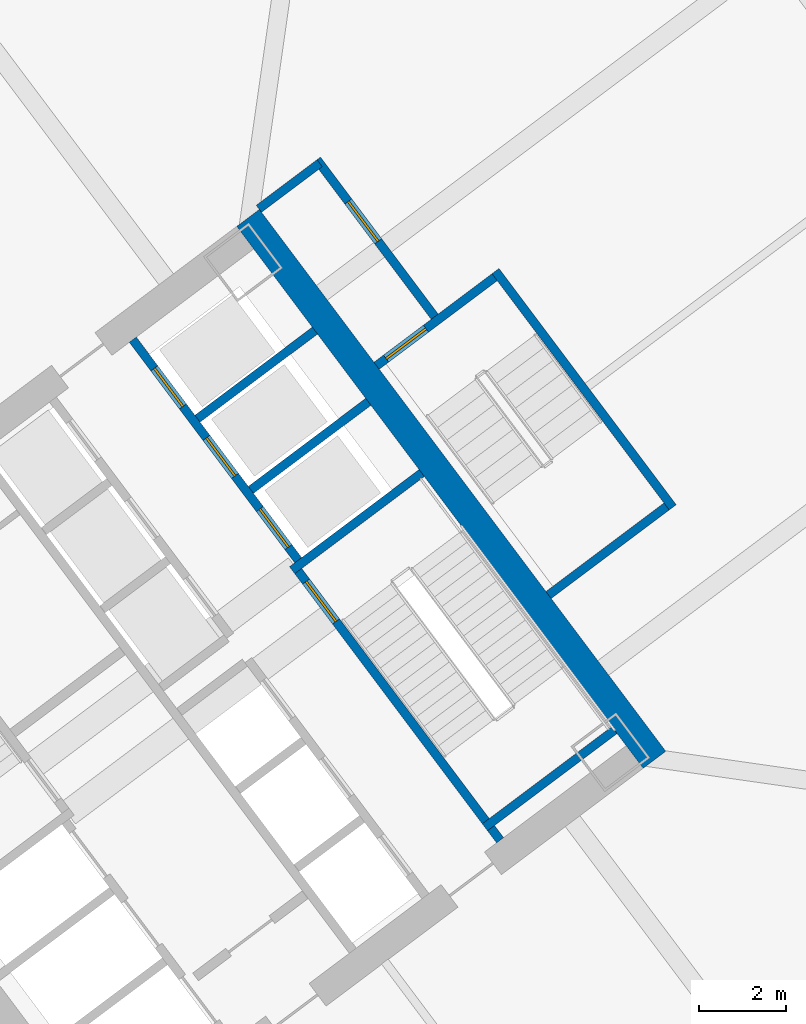
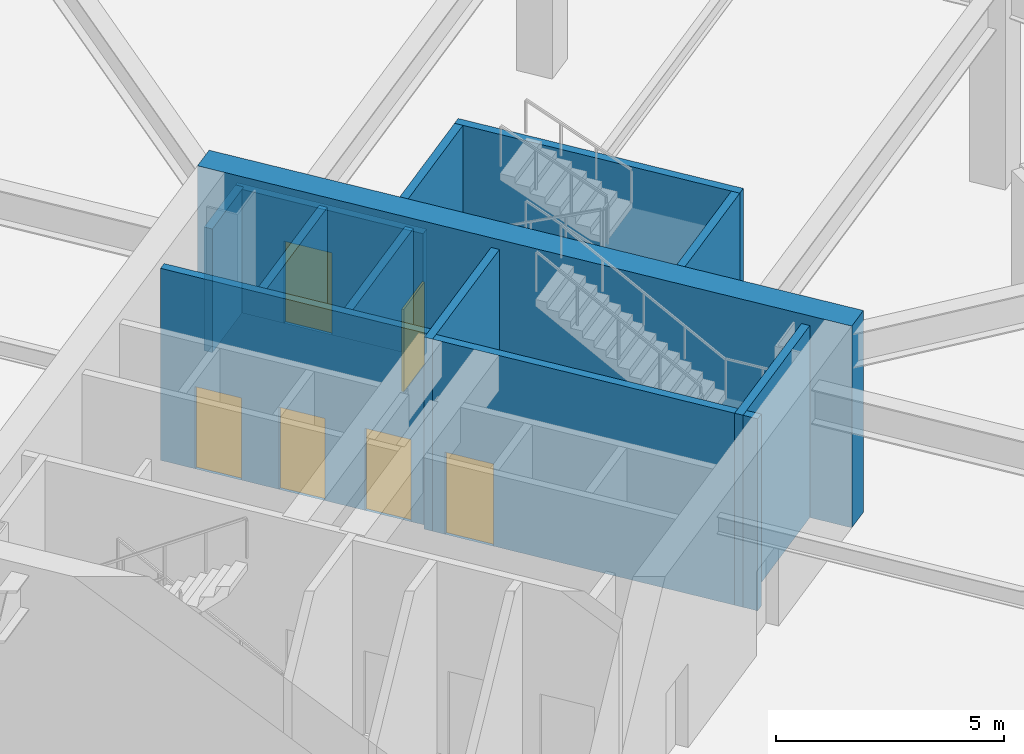
# One storey, part 12 of 26: 12 walls, 6 doors, 6 openings.
"""IFC4 building model written with IfcOpenShell, lengths in metres."""

from ifc_helpers import new_model, si_unit, direction, frame, frame_2d, origin, place, context, subcontext, project, spatial, rectangle, extrude, material, layer, layer_set, type_object, element, fill, save


model = new_model("IFC4")

# Units and contexts
model_context = context("Model", 3, precision=1e-05, world=origin(), true_north=direction((0.0, 1.0)))
body_context = subcontext(model_context, "Body", "Model", "MODEL_VIEW")
ifc_project = project(units=[si_unit("LENGTHUNIT", "METRE"), si_unit("AREAUNIT", "SQUARE_METRE"), si_unit("VOLUMEUNIT", "CUBIC_METRE"), si_unit("PLANEANGLEUNIT", "RADIAN"), si_unit("MASSUNIT", "GRAM", prefix="KILO")], contexts=[model_context])

# Site, building, storey
site_placement = place(None, origin())
site = spatial("IfcSite", under=ifc_project, at=site_placement, CompositionType="ELEMENT")
building_placement = place(site_placement, origin())
building = spatial("IfcBuilding", under=site, at=building_placement, Name="Tashvorn Skyway Center", CompositionType="ELEMENT")
storey_placement = place(building_placement, origin())
storey = spatial("IfcBuildingStorey", under=building, at=storey_placement, Name="L00", CompositionType="ELEMENT", Elevation=0.0)

# Walls
ifc_material_1 = material(Name="Concrete C60/75", Category="concrete")
ifc_layer_1 = layer(ifc_material_1, 0.64990234375)
ifc_layer_set_1 = layer_set([ifc_layer_1], Name="Concrete C60/75")
wall_type_1 = type_object("IfcWallType", Name="WALL-CORE-650", PredefinedType="SHEAR", material=ifc_layer_set_1)
wall_1_placement = place(storey_placement, frame((115.52392578125, 42.89306640625, 0.0), z_axis=(0.0, 0.0, 1.0), x_axis=(0.600005007985, -0.799996243986, 0.0)))
element("IfcWall", 1, at=wall_1_placement, inside=storey, type_object=wall_type_1, Name="Tower 2 L00 East Core Shear Wall", PredefinedType="SHEAR", context=body_context, shape_type="SweptSolid", body=[
    extrude(rectangle(XDim=15.60009765625, YDim=0.64990234375, at=frame_2d((7.800048828125, 0.0))), origin(), (0.0, 0.0, 1.0), 5.39990234375),
])
ifc_material_2 = material(Name="Concrete C40/50", Category="concrete")
ifc_layer_2 = layer(ifc_material_2, 0.199951171875)
ifc_layer_set_2 = layer_set([ifc_layer_2], Name="Concrete C40/50")
wall_type_2 = type_object("IfcWallType", Name="WALL-SHAFT-200", PredefinedType="SOLIDWALL", material=ifc_layer_set_2)
for number, where, z_axis, x_axis, name in (
    (2, (115.590087890625, 36.6298828125, 0.0), (0.0, 0.0, 1.0), (0.799973995579, 0.600034670996, 0.0), "Tower 2 L00 High-Rise Shaft Divider"),
    (3, (114.360107421875, 38.27001953125, 0.0), (0.0, 0.0, 1.0), (0.799973995579, 0.600034670996, 0.0), "Tower 2 L00 High-Rise Shaft Divider"),
):
    element("IfcWall", number, at=place(storey_placement, frame(where, z_axis=z_axis, x_axis=x_axis)), inside=storey, type_object=wall_type_2, Name=name, PredefinedType="SOLIDWALL", context=body_context, shape_type="SweptSolid", body=[
        extrude(rectangle(XDim=3.3798828125, YDim=0.199951171875, at=frame_2d((1.68994140625, 0.0))), origin(), (0.0, 0.0, 1.0), 5.139892578125),
    ])

# Wall, opening, door
wall_2_placement = place(storey_placement, frame((117.112060546875, 44.23388671875, 0.0), z_axis=(0.0, 0.0, 1.0), x_axis=(0.59999135767, -0.800006481675, 0.0)))
wall_2 = element("IfcWall", 4, at=wall_2_placement, inside=storey, type_object=wall_type_2, Name="Tower 2 L00 Stair 3 Exit Passage Outer Wall", PredefinedType="SOLIDWALL", context=body_context, shape_type="SweptSolid", body=[
    extrude(rectangle(XDim=4.52001953125, YDim=0.199951171875, at=frame_2d((2.260009765625, 0.0))), origin(), (0.0, 0.0, 1.0), 3.31005859375),
])
opening_1_placement = place(wall_2_placement, frame((1.199951171875, 0.0, 0.0)))
opening_1 = element("IfcOpeningElement", 5, at=opening_1_placement, cuts=wall_2, Name="Opening D-ST-1150", PredefinedType="OPENING", context=body_context, shape_type="SweptSolid", body=[
    extrude(rectangle(XDim=1.14990234375, YDim=2.199951171875, at=frame_2d((0.574951171875, 1.10009765625))), frame((0.0, 0.10986328125, 0.0), z_axis=(0.0, -1.0, 0.0), x_axis=(1.0, 0.0, 0.0)), (0.0, 0.0, 1.0), 0.219970703125),
])
ifc_material_3 = material(Name="Hollow galvanized steel fire door assembly", Category="steel")
door_type_1 = type_object("IfcDoorType", Name="DOOR-STAIR-1150", OperationType="NOTDEFINED", PredefinedType="DOOR", material=ifc_material_3)
door_1_placement = place(opening_1_placement, origin())
door_1 = element("IfcDoor", 6, at=door_1_placement, inside=storey, type_object=door_type_1, Name="Tower 2 L00 Exit Stair 3 Final Exit Discharge Door", OperationType="SINGLE_SWING_LEFT", OverallHeight=2.199951171875, OverallWidth=1.14990234375, PredefinedType="DOOR", context=body_context, shape_type="SweptSolid", body=[
    extrude(rectangle(XDim=1.14990234375, YDim=2.199951171875, at=frame_2d((0.574951171875, 1.10009765625))), frame((0.0, 0.02490234375, 0.0), z_axis=(0.0, -1.0, 0.0), x_axis=(1.0, 0.0, 0.0)), (0.0, 0.0, 1.0), 0.050048828125),
])
fill(opening_1, door_1)

# Wall
wall_3_placement = place(storey_placement, frame((115.77197265625, 43.10400390625, 0.0), z_axis=(0.0, 0.0, 1.0), x_axis=(0.800016739359, 0.599977680206, 0.0)))
element("IfcWall", 7, at=wall_3_placement, inside=storey, type_object=wall_type_2, Name="Tower 2 L00 Stair 3 Exit Passage End Wall", PredefinedType="SOLIDWALL", context=body_context, shape_type="SweptSolid", body=[
    extrude(rectangle(XDim=1.750244140625, YDim=0.199951171875, at=frame_2d((0.875, 0.0))), origin(), (0.0, 0.0, 1.0), 3.31005859375),
])

# Wall, opening, door
ifc_layer_3 = layer(ifc_material_2, 0.199951171875)
ifc_layer_set_3 = layer_set([ifc_layer_3], Name="Concrete C40/50")
wall_type_3 = type_object("IfcWallType", Name="WALL-STSHF-200", PredefinedType="SHEAR", material=ifc_layer_set_3)
wall_4_placement = place(storey_placement, frame((121.330078125, 28.56005859375, 0.0), z_axis=(0.0, 0.0, 1.0), x_axis=(-0.600009827119, 0.799992629566, 0.0)))
wall_4 = element("IfcWall", 8, at=wall_4_placement, inside=storey, type_object=wall_type_3, Name="Tower 2 L00 Stair 2 Enclosure Wall", PredefinedType="SHEAR", context=body_context, shape_type="SweptSolid", body=[
    extrude(rectangle(XDim=7.949951171875, YDim=0.199951171875, at=frame_2d((3.97509765625, 0.0))), origin(), (0.0, 0.0, 1.0), 5.139892578125),
])
opening_2_placement = place(wall_4_placement, frame((6.300048828125, 0.0, 0.0)))
opening_2 = element("IfcOpeningElement", 9, at=opening_2_placement, cuts=wall_4, Name="Opening D-ST-1150", PredefinedType="OPENING", context=body_context, shape_type="SweptSolid", body=[
    extrude(rectangle(XDim=1.14990234375, YDim=2.199951171875, at=frame_2d((0.574951171875, 1.10009765625))), frame((0.0, 0.10986328125, 0.0), z_axis=(0.0, -1.0, 0.0), x_axis=(1.0, 0.0, 0.0)), (0.0, 0.0, 1.0), 0.219970703125),
])
door_2_placement = place(opening_2_placement, origin())
door_2 = element("IfcDoor", 10, at=door_2_placement, inside=storey, type_object=door_type_1, Name="Tower 2 L00 Exit Stair 2 Discharge Door", OperationType="SINGLE_SWING_LEFT", OverallHeight=2.199951171875, OverallWidth=1.14990234375, PredefinedType="DOOR", context=body_context, shape_type="SweptSolid", body=[
    extrude(rectangle(XDim=1.14990234375, YDim=2.199951171875, at=frame_2d((0.574951171875, 1.10009765625))), frame((0.0, 0.02490234375, 0.0), z_axis=(0.0, -1.0, 0.0), x_axis=(1.0, 0.0, 0.0)), (0.0, 0.0, 1.0), 0.050048828125),
])
fill(opening_2, door_2)

# Walls
for number, where, z_axis, x_axis, name in (
    (11, (116.5400390625, 34.780029296875, 0.0), (0.0, 0.0, 1.0), (0.799984290658, 0.600020945218, 0.0), "Tower 2 L00 Stair 2 North Wall"),
    (12, (120.97998046875, 28.860107421875, 0.0), (0.0, 0.0, 1.0), (0.800039270442, 0.59994763584, 0.0), "Tower 2 L00 Stair 2 South Wall"),
):
    element("IfcWall", number, at=place(storey_placement, frame(where, z_axis=z_axis, x_axis=x_axis)), inside=storey, type_object=wall_type_3, Name=name, PredefinedType="SHEAR", context=body_context, shape_type="SweptSolid", body=[
        extrude(rectangle(XDim=3.72998046875, YDim=0.199951171875, at=frame_2d((1.864990234375, 0.0))), origin(), (0.0, 0.0, 1.0), 5.139892578125),
    ])

# Wall, openings, doors
wall_5_placement = place(storey_placement, frame((112.8701171875, 40.090087890625, 0.0), z_axis=(0.0, 0.0, 1.0), x_axis=(0.599975393228, -0.800018454488, 0.0)))
wall_5 = element("IfcWall", 13, at=wall_5_placement, inside=storey, type_object=wall_type_3, Name="Tower 2 L00 High-Rise Lift Shaft Front Wall", PredefinedType="SHEAR", context=body_context, shape_type="SweptSolid", body=[
    extrude(rectangle(XDim=6.349853515625, YDim=0.199951171875, at=frame_2d((3.1748046875, 0.0))), origin(), (0.0, 0.0, 1.0), 5.139892578125),
])
opening_3_placement = place(wall_5_placement, frame((4.875, 0.0, 0.0)))
opening_3 = element("IfcOpeningElement", 14, at=opening_3_placement, cuts=wall_5, Name="Opening LD-HR-T2-1-L00", PredefinedType="OPENING", context=body_context, shape_type="SweptSolid", body=[
    extrude(rectangle(XDim=1.10009765625, YDim=2.199951171875, at=frame_2d((0.550048828125, 1.10009765625))), frame((0.0, 0.10986328125, 0.0), z_axis=(0.0, -1.0, 0.0), x_axis=(1.0, 0.0, 0.0)), (0.0, 0.0, 1.0), 0.219970703125),
])
opening_4_placement = place(wall_5_placement, frame((2.824951171875, 0.0, 0.0)))
opening_4 = element("IfcOpeningElement", 15, at=opening_4_placement, cuts=wall_5, Name="Opening LD-HR-T2-2-L00", PredefinedType="OPENING", context=body_context, shape_type="SweptSolid", body=[
    extrude(rectangle(XDim=1.10009765625, YDim=2.199951171875, at=frame_2d((0.550048828125, 1.10009765625))), frame((0.0, 0.10986328125, 0.0), z_axis=(0.0, -1.0, 0.0), x_axis=(1.0, 0.0, 0.0)), (0.0, 0.0, 1.0), 0.219970703125),
])
opening_5_placement = place(wall_5_placement, frame((0.824951171875, 0.0, 0.0)))
opening_5 = element("IfcOpeningElement", 16, at=opening_5_placement, cuts=wall_5, Name="Opening LD-HR-T2-3-L00", PredefinedType="OPENING", context=body_context, shape_type="SweptSolid", body=[
    extrude(rectangle(XDim=1.10009765625, YDim=2.199951171875, at=frame_2d((0.550048828125, 1.10009765625))), frame((0.0, 0.10986328125, 0.0), z_axis=(0.0, -1.0, 0.0), x_axis=(1.0, 0.0, 0.0)), (0.0, 0.0, 1.0), 0.219970703125),
])
ifc_material_4 = material(Name="Stainless steel landing door", Category="steel")
door_type_2 = type_object("IfcDoorType", Name="DOOR-LIFT-1100", OperationType="SLIDING_TO_LEFT", PredefinedType="DOOR", material=ifc_material_4)
door_3_placement = place(opening_3_placement, origin())
door_3 = element("IfcDoor", 17, at=door_3_placement, inside=storey, type_object=door_type_2, Name="Lift HR-T2-1 L00 Landing Door", OperationType="SLIDING_TO_LEFT", OverallHeight=2.199951171875, OverallWidth=1.10009765625, PredefinedType="DOOR", context=body_context, shape_type="SweptSolid", body=[
    extrude(rectangle(XDim=1.10009765625, YDim=2.199951171875, at=frame_2d((0.550048828125, 1.10009765625))), frame((0.0, 0.02490234375, 0.0), z_axis=(0.0, -1.0, 0.0), x_axis=(1.0, 0.0, 0.0)), (0.0, 0.0, 1.0), 0.050048828125),
])
fill(opening_3, door_3)
door_4_placement = place(opening_4_placement, origin())
door_4 = element("IfcDoor", 18, at=door_4_placement, inside=storey, type_object=door_type_2, Name="Lift HR-T2-2 L00 Landing Door", OperationType="SLIDING_TO_LEFT", OverallHeight=2.199951171875, OverallWidth=1.10009765625, PredefinedType="DOOR", context=body_context, shape_type="SweptSolid", body=[
    extrude(rectangle(XDim=1.10009765625, YDim=2.199951171875, at=frame_2d((0.550048828125, 1.10009765625))), frame((0.0, 0.02490234375, 0.0), z_axis=(0.0, -1.0, 0.0), x_axis=(1.0, 0.0, 0.0)), (0.0, 0.0, 1.0), 0.050048828125),
])
fill(opening_4, door_4)
door_5_placement = place(opening_5_placement, origin())
door_5 = element("IfcDoor", 19, at=door_5_placement, inside=storey, type_object=door_type_2, Name="Lift HR-T2-3 L00 Landing Door", OperationType="SLIDING_TO_LEFT", OverallHeight=2.199951171875, OverallWidth=1.10009765625, PredefinedType="DOOR", context=body_context, shape_type="SweptSolid", body=[
    extrude(rectangle(XDim=1.10009765625, YDim=2.199951171875, at=frame_2d((0.550048828125, 1.10009765625))), frame((0.0, 0.02490234375, 0.0), z_axis=(0.0, -1.0, 0.0), x_axis=(1.0, 0.0, 0.0)), (0.0, 0.0, 1.0), 0.050048828125),
])
fill(opening_5, door_5)

# Wall
wall_6_placement = place(storey_placement, frame((125.303955078125, 36.22802734375, 0.0), z_axis=(0.0, 0.0, 1.0), x_axis=(-0.59998851072, 0.800008616831, 0.0)))
element("IfcWall", 20, at=wall_6_placement, inside=storey, type_object=wall_type_3, Name="Tower 2 L00 Stair 3 Outer Wall", PredefinedType="SHEAR", context=body_context, shape_type="SweptSolid", body=[
    extrude(rectangle(XDim=6.7998046875, YDim=0.199951171875, at=frame_2d((3.39990234375, 0.0))), origin(), (0.0, 0.0, 1.0), 5.139892578125),
])

# Wall, opening, door
wall_7_placement = place(storey_placement, frame((118.48388671875, 39.488037109375, 0.0), z_axis=(0.0, 0.0, 1.0), x_axis=(0.800017232136, 0.599977023131, 0.0)))
wall_7 = element("IfcWall", 21, at=wall_7_placement, inside=storey, type_object=wall_type_3, Name="Tower 2 L00 Stair 3 Enclosure Wall", PredefinedType="SHEAR", context=body_context, shape_type="SweptSolid", body=[
    extrude(rectangle(XDim=3.400146484375, YDim=0.199951171875, at=frame_2d((1.7001953125, 0.0))), origin(), (0.0, 0.0, 1.0), 5.139892578125),
])
opening_6_placement = place(wall_7_placement, frame((0.27490234375, 0.0, 0.0)))
opening_6 = element("IfcOpeningElement", 22, at=opening_6_placement, cuts=wall_7, Name="Opening D-ST-1150", PredefinedType="OPENING", context=body_context, shape_type="SweptSolid", body=[
    extrude(rectangle(XDim=1.14990234375, YDim=2.199951171875, at=frame_2d((0.574951171875, 1.10009765625))), frame((0.0, 0.10986328125, 0.0), z_axis=(0.0, -1.0, 0.0), x_axis=(1.0, 0.0, 0.0)), (0.0, 0.0, 1.0), 0.219970703125),
])
door_6_placement = place(opening_6_placement, origin())
door_6 = element("IfcDoor", 23, at=door_6_placement, inside=storey, type_object=door_type_1, Name="Tower 2 L00 Exit Stair 3 Discharge Door", OperationType="SINGLE_SWING_LEFT", OverallHeight=2.199951171875, OverallWidth=1.14990234375, PredefinedType="DOOR", context=body_context, shape_type="SweptSolid", body=[
    extrude(rectangle(XDim=1.14990234375, YDim=2.199951171875, at=frame_2d((0.574951171875, 1.10009765625))), frame((0.0, 0.02490234375, 0.0), z_axis=(0.0, -1.0, 0.0), x_axis=(1.0, 0.0, 0.0)), (0.0, 0.0, 1.0), 0.050048828125),
])
fill(opening_6, door_6)

# Wall
wall_8_placement = place(storey_placement, frame((122.444091796875, 34.2080078125, 0.0), z_axis=(0.0, 0.0, 1.0), x_axis=(0.79999138319, 0.600011488909, 0.0)))
element("IfcWall", 24, at=wall_8_placement, inside=storey, type_object=wall_type_3, Name="Tower 2 L00 Stair 3 South Wall", PredefinedType="SHEAR", context=body_context, shape_type="SweptSolid", body=[
    extrude(rectangle(XDim=3.39990234375, YDim=0.199951171875, at=frame_2d((1.699951171875, 0.0))), origin(), (0.0, 0.0, 1.0), 5.139892578125),
])

save(model, "model.ifc")
